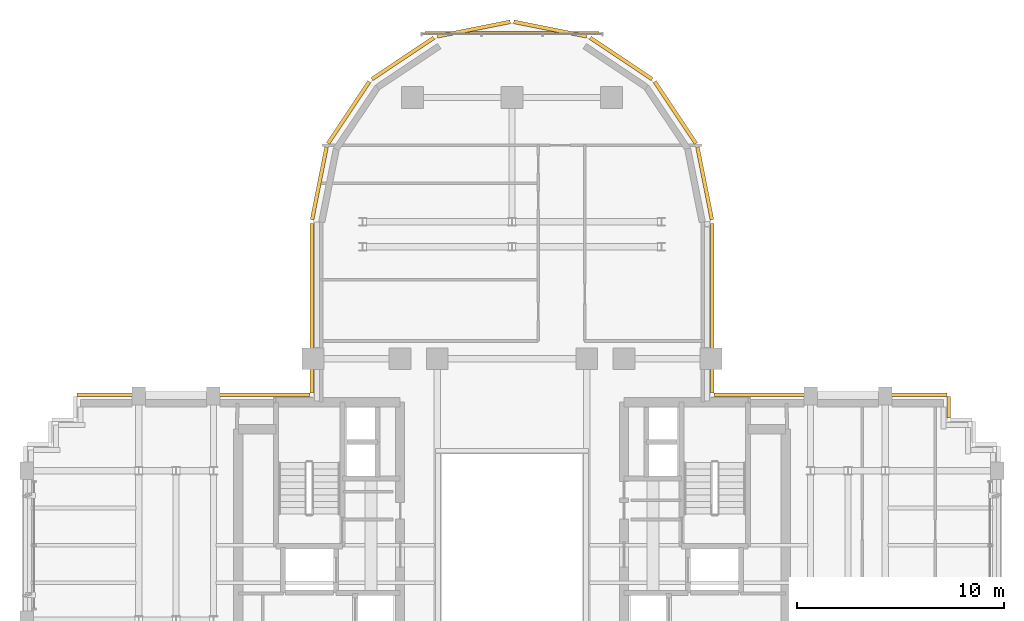
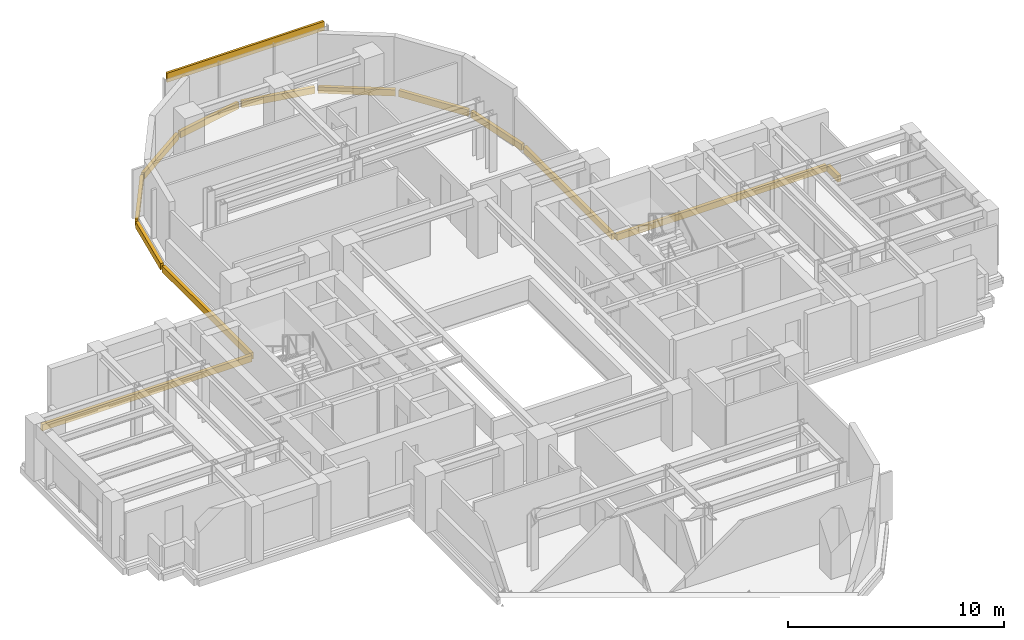
# One storey, part 14 of 14: 14 coverings.
"""IFC4 building model written with IfcOpenShell, lengths in metres."""

from ifc_helpers import new_model, si_unit, direction, frame, origin, origin_2d, place, context, subcontext, project, spatial, rectangle, extrude, source, transform, mapped, material, layer, layer_set, type_object, element, save


model = new_model("IFC4")

# Units and contexts
model_context = context("Model", 3, precision=1e-05, world=origin(), true_north=direction((0.0, 1.0)))
body_context = subcontext(model_context, "Body", "Model", "MODEL_VIEW")
ifc_project = project(units=[si_unit("LENGTHUNIT", "METRE"), si_unit("AREAUNIT", "SQUARE_METRE"), si_unit("VOLUMEUNIT", "CUBIC_METRE"), si_unit("PLANEANGLEUNIT", "RADIAN"), si_unit("MASSUNIT", "GRAM", prefix="KILO")], contexts=[model_context])

# Site, building, storey
site_placement = place(None, origin())
site = spatial("IfcSite", under=ifc_project, at=site_placement, CompositionType="ELEMENT")
building_placement = place(site_placement, origin())
building = spatial("IfcBuilding", under=site, at=building_placement, Name="Keilestroom Media Tower", CompositionType="ELEMENT")
storey_placement = place(building_placement, frame((0.0, 0.0, 127.800048828125)))
storey = spatial("IfcBuildingStorey", under=building, at=storey_placement, Name="L34", CompositionType="ELEMENT", Elevation=127.800048828125)

# Coverings
ifc_material = material(Name="Precast concrete C40/50", Category="concrete")
ifc_layer = layer(ifc_material, 0.1201171875)
ifc_layer_set = layer_set([ifc_layer], Name="Precast concrete C40/50")
covering_type = type_object("IfcCoveringType", Name="Exterior-Precast-Spandrel-Cladding-Panel-120", PredefinedType="CLADDING", material=ifc_layer_set)
shared_shape_1 = source(origin(), body_context, "Body", "SweptSolid", [
    extrude(rectangle(XDim=8.39990234375, YDim=0.1201171875, at=origin_2d()), origin(), (0.0, 0.0, 1.0), 0.52001953125),
])
covering_1_placement = place(storey_placement, frame((0.0, 24.719970703125, 2.68994140625), z_axis=(0.0, 0.0, 1.0), x_axis=(1.0, 0.0, 0.0)))
element("IfcCovering", 1, at=covering_1_placement, inside=storey, type_object=covering_type, Name="L34 Precast Spandrel Cladding N", PredefinedType="CLADDING", context=body_context, shape_type="MappedRepresentation", body=[
    mapped(shared_shape_1, transform((0.0, 0.0, 0.0), x_axis=(1.0, 0.0, 0.0), y_axis=(0.0, 1.0, 0.0), z_axis=(0.0, 0.0, 1.0), scale=1.0)),
])
shared_shape_2 = source(origin(), body_context, "Body", "SweptSolid", [
    extrude(rectangle(XDim=1.02001953125, YDim=0.179931640625, at=origin_2d()), origin(), (0.0, 0.0, 1.0), 0.360107421875),
])
covering_2_placement = place(storey_placement, frame((21.06005859375, 6.659912109375, -0.5400390625), z_axis=(0.0, 0.0, 1.0), x_axis=(0.0, -1.0, 0.0)))
element("IfcCovering", 2, at=covering_2_placement, inside=storey, type_object=covering_type, Name="L34 Precast Slab-Edge Fascia Cornice 38", PredefinedType="CLADDING", context=body_context, shape_type="MappedRepresentation", body=[
    mapped(shared_shape_2, transform((0.0, 0.0, 0.0), x_axis=(1.0, 0.0, 0.0), y_axis=(0.0, 1.0, 0.0), z_axis=(0.0, 0.0, 1.0), scale=1.0)),
])
shared_shape_3 = source(origin(), body_context, "Body", "SweptSolid", [
    extrude(rectangle(XDim=8.166015625, YDim=0.179931640625, at=origin_2d()), origin(), (0.0, 0.0, 1.0), 0.360107421875),
])
for number, where, z_axis, x_axis, name in (
    (3, (-9.659912109375, 11.43310546875, -0.5400390625), (0.0, 0.0, 1.0), (0.0, 1.0, 0.0), "L34 Precast Slab-Edge Fascia Cornice 27"),
    (4, (9.659912109375, 11.43310546875, -0.5400390625), (0.0, 0.0, 1.0), (0.0, -1.0, 0.0), "L34 Precast Slab-Edge Fascia Cornice 36"),
):
    element("IfcCovering", number, at=place(storey_placement, frame(where, z_axis=z_axis, x_axis=x_axis)), inside=storey, type_object=covering_type, Name=name, PredefinedType="CLADDING", context=body_context, shape_type="MappedRepresentation", body=[
        mapped(shared_shape_3, transform((0.0, 0.0, 0.0), x_axis=(1.0, 0.0, 0.0), y_axis=(0.0, 1.0, 0.0), z_axis=(0.0, 0.0, 1.0), scale=1.0)),
    ])
shared_shape_4 = source(origin(), body_context, "Body", "SweptSolid", [
    extrude(rectangle(XDim=3.58349609375, YDim=0.179931640625, at=origin_2d()), origin(), (0.0, 0.0, 1.0), 0.360107421875),
])
for number, where, z_axis, x_axis, name in (
    (5, (-9.29296875, 17.45166015625, -0.5400390625), (0.0, 0.0, 1.0), (0.195098880975, 0.980783577882, 0.0), "L34 Precast Slab-Edge Fascia Cornice 28"),
    (6, (9.29296875, 17.45166015625, -0.5400390625), (0.0, 0.0, 1.0), (0.195098880975, -0.980783577882, 0.0), "L34 Precast Slab-Edge Fascia Cornice 35"),
):
    element("IfcCovering", number, at=place(storey_placement, frame(where, z_axis=z_axis, x_axis=x_axis)), inside=storey, type_object=covering_type, Name=name, PredefinedType="CLADDING", context=body_context, shape_type="MappedRepresentation", body=[
        mapped(shared_shape_4, transform((0.0, 0.0, 0.0), x_axis=(1.0, 0.0, 0.0), y_axis=(0.0, 1.0, 0.0), z_axis=(0.0, 0.0, 1.0), scale=1.0)),
    ])
shared_shape_5 = source(origin(), body_context, "Body", "SweptSolid", [
    extrude(rectangle(XDim=3.589599609375, YDim=0.179931640625, at=origin_2d()), origin(), (0.0, 0.0, 1.0), 0.360107421875),
])
for number, where, z_axis, x_axis, name in (
    (7, (-7.878662109375, 20.8642578125, -0.5400390625), (0.0, 0.0, 1.0), (0.555574586577, 0.831466703332, 0.0), "L34 Precast Slab-Edge Fascia Cornice 29"),
    (8, (-5.264404296875, 23.478515625, -0.5400390625), (0.0, 0.0, 1.0), (0.831466703332, 0.555574586577, 0.0), "L34 Precast Slab-Edge Fascia Cornice 30"),
    (9, (-1.8486328125, 24.893310546875, -0.5400390625), (0.0, 0.0, 1.0), (0.980783577882, 0.195098880975, 0.0), "L34 Precast Slab-Edge Fascia Cornice 31"),
    (10, (1.8486328125, 24.893310546875, -0.5400390625), (0.0, 0.0, 1.0), (0.980783577882, -0.195098880975, 0.0), "L34 Precast Slab-Edge Fascia Cornice 32"),
    (11, (5.264404296875, 23.478515625, -0.5400390625), (0.0, 0.0, 1.0), (0.831466703332, -0.555574586577, 0.0), "L34 Precast Slab-Edge Fascia Cornice 33"),
    (12, (7.878662109375, 20.8642578125, -0.5400390625), (0.0, 0.0, 1.0), (0.555574586577, -0.831466703332, 0.0), "L34 Precast Slab-Edge Fascia Cornice 34"),
):
    element("IfcCovering", number, at=place(storey_placement, frame(where, z_axis=z_axis, x_axis=x_axis)), inside=storey, type_object=covering_type, Name=name, PredefinedType="CLADDING", context=body_context, shape_type="MappedRepresentation", body=[
        mapped(shared_shape_5, transform((0.0, 0.0, 0.0), x_axis=(1.0, 0.0, 0.0), y_axis=(0.0, 1.0, 0.0), z_axis=(0.0, 0.0, 1.0), scale=1.0)),
    ])
shared_shape_6 = source(origin(), body_context, "Body", "SweptSolid", [
    extrude(rectangle(XDim=11.219970703125, YDim=0.179931640625, at=origin_2d()), origin(), (0.0, 0.0, 1.0), 0.360107421875),
])
for number, where, z_axis, x_axis, name in (
    (13, (-15.360107421875, 7.260009765625, -0.5400390625), (0.0, 0.0, 1.0), (1.0, 0.0, 0.0), "L34 Precast Slab-Edge Fascia Cornice 26"),
    (14, (15.360107421875, 7.260009765625, -0.5400390625), (0.0, 0.0, 1.0), (1.0, 0.0, 0.0), "L34 Precast Slab-Edge Fascia Cornice 37"),
):
    element("IfcCovering", number, at=place(storey_placement, frame(where, z_axis=z_axis, x_axis=x_axis)), inside=storey, type_object=covering_type, Name=name, PredefinedType="CLADDING", context=body_context, shape_type="MappedRepresentation", body=[
        mapped(shared_shape_6, transform((0.0, 0.0, 0.0), x_axis=(1.0, 0.0, 0.0), y_axis=(0.0, 1.0, 0.0), z_axis=(0.0, 0.0, 1.0), scale=1.0)),
    ])

save(model, "model.ifc")
